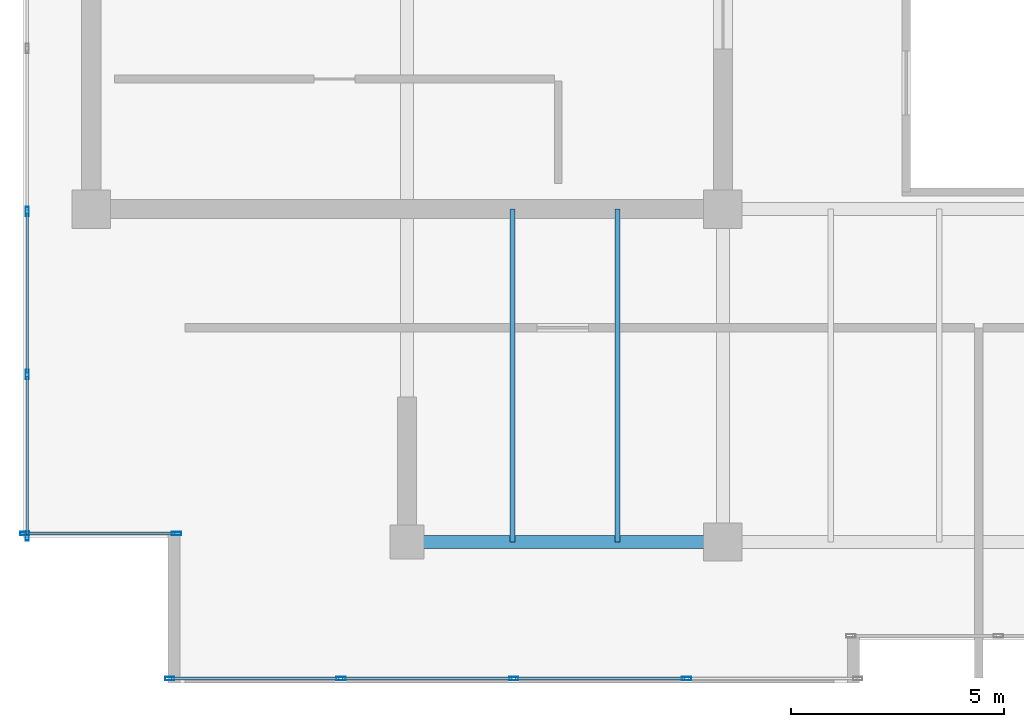
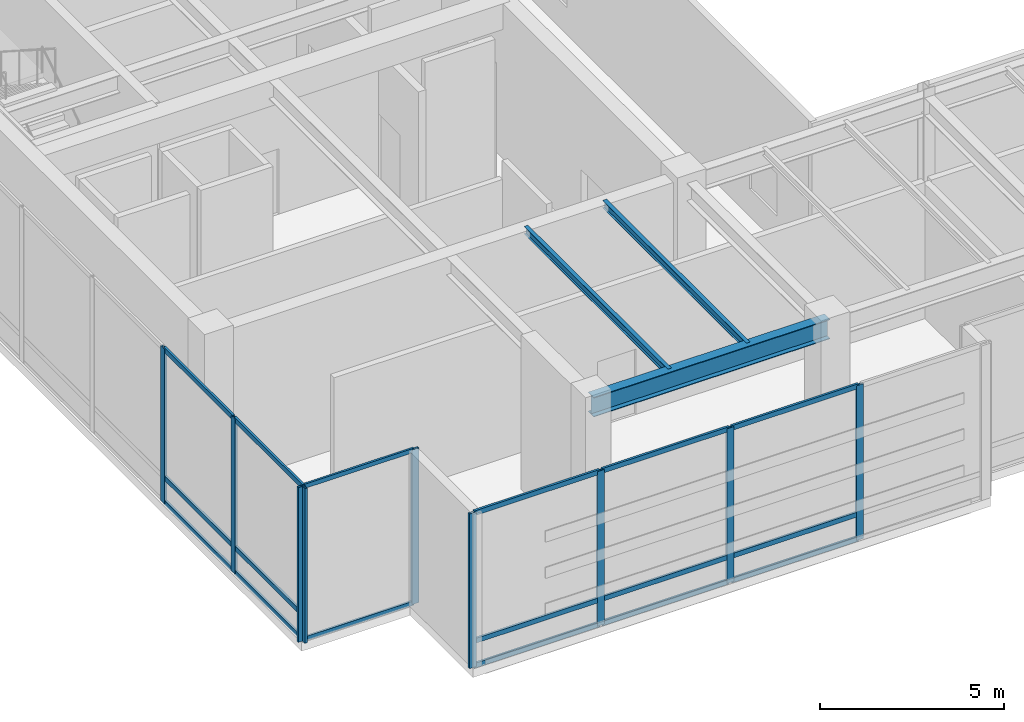
# One storey, part 5 of 30: 26 members, 3 beams, 3 elements without a shape of their own.
"""IFC4 building model written with IfcOpenShell, lengths in metres."""

from ifc_helpers import new_model, si_unit, direction, frame, origin, origin_2d, place, context, subcontext, project, spatial, hollow_rectangle, i_section, extrude, source, transform, mapped, material, layer, layer_set, material_profile, profile_set, type_object, type_shapes, element, aggregate, save


model = new_model("IFC4")

# Units and contexts
model_context = context("Model", 3, precision=1e-05, world=origin(), true_north=direction((0.0, 1.0)))
body_context = subcontext(model_context, "Body", "Model", "MODEL_VIEW")
ifc_project = project(units=[si_unit("LENGTHUNIT", "METRE"), si_unit("AREAUNIT", "SQUARE_METRE"), si_unit("VOLUMEUNIT", "CUBIC_METRE"), si_unit("PLANEANGLEUNIT", "RADIAN"), si_unit("MASSUNIT", "GRAM", prefix="KILO")], contexts=[model_context])

# Site, building, storey
site_placement = place(None, origin())
site = spatial("IfcSite", under=ifc_project, at=site_placement, CompositionType="ELEMENT")
building_placement = place(site_placement, origin())
building = spatial("IfcBuilding", under=site, at=building_placement, Name="Haelvirn Gate Laboratories", CompositionType="ELEMENT")
storey_placement = place(building_placement, frame((0.0, 0.0, 327.0)))
storey = spatial("IfcBuildingStorey", under=building, at=storey_placement, Name="L78", CompositionType="ELEMENT", Elevation=327.0)

# Beams
ifc_material_1 = material(Name="Steel SM355", Category="steel")
ifc_material_profile_1 = material_profile(ifc_material_1, i_section(OverallWidth=0.300048828125, OverallDepth=0.64990234375, WebThickness=0.012939453125, FlangeThickness=0.02197265625, at=origin_2d()), Name="H-650x300x13x22")
ifc_profile_set_1 = profile_set([ifc_material_profile_1], Name="Steel SM355")
beam_type_1 = type_object("IfcBeamType", Name="BM-G-650", PredefinedType="BEAM", material=ifc_profile_set_1)
shared_shape_1 = source(origin(), body_context, "Body", "SweptSolid", [
    extrude(i_section(OverallWidth=0.300048828125, OverallDepth=0.64990234375, WebThickness=0.012939453125, FlangeThickness=0.02197265625, at=origin_2d()), origin(), (0.0, 0.0, 1.0), 7.39990234375),
])
type_shapes(beam_type_1, [shared_shape_1])
beam_placement = place(storey_placement, frame((14.800048828125, 7.0, 4.794921875), z_axis=(1.0, 0.0, 0.0), x_axis=(0.0, 1.0, 0.0)))
element("IfcBeam", 1, at=beam_placement, inside=storey, type_object=beam_type_1, Name="L78 Primary Girder Y7.0 (14.8-22.2)", PredefinedType="BEAM", context=body_context, shape_type="MappedRepresentation", body=[
    mapped(shared_shape_1, transform((0.0, 0.0, 0.0), scale=1.0)),
])
ifc_material_profile_2 = material_profile(ifc_material_1, i_section(OverallWidth=0.125, OverallDepth=0.25, WebThickness=0.006103515625, FlangeThickness=0.009033203125, at=origin_2d()), Name="H-250x125x6x9")
ifc_profile_set_2 = profile_set([ifc_material_profile_2], Name="Steel SM355")
beam_type_2 = type_object("IfcBeamType", Name="BM-J-250", PredefinedType="JOIST", material=ifc_profile_set_2)
shared_shape_2 = source(origin(), body_context, "Body", "SweptSolid", [
    extrude(i_section(OverallWidth=0.125, OverallDepth=0.25, WebThickness=0.006103515625, FlangeThickness=0.009033203125, at=origin_2d()), origin(), (0.0, 0.0, 1.0), 7.800048828125),
])
type_shapes(beam_type_2, [shared_shape_2])
for number, where, z_axis, x_axis, name in (
    (2, (17.27001953125, 7.0, 4.9951171875), (0.0, 1.0, 0.0), (-1.0, 0.0, 0.0), "L78 Composite Lab Joist South X17.27"),
    (3, (19.72998046875, 7.0, 4.9951171875), (0.0, 1.0, 0.0), (-1.0, 0.0, 0.0), "L78 Composite Lab Joist South X19.73"),
):
    element("IfcBeam", number, at=place(storey_placement, frame(where, z_axis=z_axis, x_axis=x_axis)), inside=storey, type_object=beam_type_2, Name=name, PredefinedType="JOIST", context=body_context, shape_type="MappedRepresentation", body=[
        mapped(shared_shape_2, transform((0.0, 0.0, 0.0), scale=1.0)),
    ])

# Curtain wall, members
ifc_material_2 = material(Name="Anodised bronze unitised aluminium & triple low-E glass", Category="aluminium")
ifc_layer_1 = layer(ifc_material_2, 0.181884765625, Name="CW-SYS-5")
ifc_layer_set_1 = layer_set([ifc_layer_1], Name="Anodised bronze unitised aluminium & triple low-E glass")
curtain_wall_type_1 = type_object("IfcCurtainWallType", Name="CW-SYS-5", PredefinedType="NOTDEFINED", material=ifc_layer_set_1)
curtain_wall_1_placement = place(storey_placement, origin())
curtain_wall_1 = element("IfcCurtainWall", 4, at=curtain_wall_1_placement, inside=storey, type_object=curtain_wall_type_1, Name="L78 Unitised Curtain Wall CW-L78-P0-E18-1", PredefinedType="NOTDEFINED")
ifc_material_3 = material(Name="Extruded aluminium 6063-T6 (anodised bronze)", Category="aluminium")
ifc_material_profile_3 = material_profile(ifc_material_3, hollow_rectangle(XDim=0.06494140625, YDim=0.139892578125, WallThickness=0.00390625, at=origin_2d()), Name="CWT-140x65x4")
ifc_profile_set_3 = profile_set([ifc_material_profile_3], Name="Extruded aluminium 6063-T6 (anodised bronze)")
member_type_1 = type_object("IfcMemberType", Name="CWT-T140", PredefinedType="USERDEFINED", material=ifc_profile_set_3)
shared_shape_3 = source(origin(), body_context, "Body", "SweptSolid", [
    extrude(hollow_rectangle(XDim=0.06494140625, YDim=0.139892578125, WallThickness=0.00390625, at=origin_2d()), origin(), (0.0, 0.0, 1.0), 3.480224609375),
])
type_shapes(member_type_1, [shared_shape_3])
member_1_placement = place(storey_placement, frame((5.8798828125, 7.199951171875, 0.032470703125), z_axis=(1.0, 0.0, 0.0), x_axis=(0.0, 1.0, 0.0)))
member_1 = element("IfcMember", 5, at=member_1_placement, type_object=member_type_1, Name="CW5 transom 1.1", ObjectType="TRANSOM", PredefinedType="USERDEFINED", context=body_context, shape_type="MappedRepresentation", body=[
    mapped(shared_shape_3, transform((0.0, 0.0, 0.0), scale=1.0)),
])
member_2_placement = place(storey_placement, frame((5.8798828125, 7.199951171875, 5.08740234375), z_axis=(1.0, 0.0, 0.0), x_axis=(0.0, 1.0, 0.0)))
member_2 = element("IfcMember", 6, at=member_2_placement, type_object=member_type_1, Name="CW5 transom 1.2", ObjectType="TRANSOM", PredefinedType="USERDEFINED", context=body_context, shape_type="MappedRepresentation", body=[
    mapped(shared_shape_3, transform((0.0, 0.0, 0.0), scale=1.0)),
])

ifc_layer_2 = layer(ifc_material_2, 0.19189453125, Name="CW-SYS-6")
ifc_layer_set_2 = layer_set([ifc_layer_2], Name="Anodised bronze unitised aluminium & triple low-E glass")
curtain_wall_type_2 = type_object("IfcCurtainWallType", Name="CW-SYS-6", PredefinedType="NOTDEFINED", material=ifc_layer_set_2)
curtain_wall_2_placement = place(storey_placement, origin())
curtain_wall_2 = element("IfcCurtainWall", 7, at=curtain_wall_2_placement, inside=storey, type_object=curtain_wall_type_2, Name="L78 Unitised Curtain Wall CW-L78-P0-E00-1", PredefinedType="NOTDEFINED")
ifc_material_profile_4 = material_profile(ifc_material_3, hollow_rectangle(XDim=0.080078125, YDim=0.219970703125, WallThickness=0.006103515625, at=origin_2d()), Name="CWM-220x80x6")
ifc_profile_set_4 = profile_set([ifc_material_profile_4], Name="Extruded aluminium 6063-T6 (anodised bronze)")
member_type_2 = type_object("IfcMemberType", Name="CWM-T220", PredefinedType="MULLION", material=ifc_profile_set_4)
shared_shape_4 = source(origin(), body_context, "Body", "SweptSolid", [
    extrude(hollow_rectangle(XDim=0.080078125, YDim=0.219970703125, WallThickness=0.006103515625, at=origin_2d()), origin(), (0.0, 0.0, 1.0), 5.1201171875),
])
type_shapes(member_type_2, [shared_shape_4])
member_3_placement = place(storey_placement, frame((9.239990234375, 3.800048828125, 0.0), z_axis=(0.0, 0.0, 1.0), x_axis=(0.0, 1.0, 0.0)))
member_3 = element("IfcMember", 8, at=member_3_placement, type_object=member_type_2, Name="CW6 mullion 1", PredefinedType="MULLION", context=body_context, shape_type="MappedRepresentation", body=[
    mapped(shared_shape_4, transform((0.0, 0.0, 0.0), scale=1.0)),
])
member_4_placement = place(storey_placement, frame((13.25, 3.800048828125, 0.0), z_axis=(0.0, 0.0, 1.0), x_axis=(0.0, 1.0, 0.0)))
member_4 = element("IfcMember", 9, at=member_4_placement, type_object=member_type_2, Name="CW6 mullion 2", PredefinedType="MULLION", context=body_context, shape_type="MappedRepresentation", body=[
    mapped(shared_shape_4, transform((0.0, 0.0, 0.0), scale=1.0)),
])
member_5_placement = place(storey_placement, frame((17.300048828125, 3.800048828125, 0.0), z_axis=(0.0, 0.0, 1.0), x_axis=(0.0, 1.0, 0.0)))
member_5 = element("IfcMember", 10, at=member_5_placement, type_object=member_type_2, Name="CW6 mullion 3", PredefinedType="MULLION", context=body_context, shape_type="MappedRepresentation", body=[
    mapped(shared_shape_4, transform((0.0, 0.0, 0.0), scale=1.0)),
])
member_6_placement = place(storey_placement, frame((21.35009765625, 3.800048828125, 0.0), z_axis=(0.0, 0.0, 1.0), x_axis=(0.0, 1.0, 0.0)))
member_6 = element("IfcMember", 11, at=member_6_placement, type_object=member_type_2, Name="CW6 mullion 4", PredefinedType="MULLION", context=body_context, shape_type="MappedRepresentation", body=[
    mapped(shared_shape_4, transform((0.0, 0.0, 0.0), scale=1.0)),
])

curtain_wall_3_placement = place(storey_placement, origin())
curtain_wall_3 = element("IfcCurtainWall", 12, at=curtain_wall_3_placement, inside=storey, type_object=curtain_wall_type_2, Name="L78 Unitised Curtain Wall CW-L78-P0-E17", PredefinedType="NOTDEFINED")
member_7_placement = place(storey_placement, frame((5.89990234375, 14.744384765625, 0.0), z_axis=(0.0, 0.0, 1.0), x_axis=(1.0, 0.0, 0.0)))
member_7 = element("IfcMember", 13, at=member_7_placement, type_object=member_type_2, Name="CW6 mullion 8", PredefinedType="MULLION", context=body_context, shape_type="MappedRepresentation", body=[
    mapped(shared_shape_4, transform((0.0, 0.0, 0.0), scale=1.0)),
])
member_8_placement = place(storey_placement, frame((5.89990234375, 10.922119140625, 0.0), z_axis=(0.0, 0.0, 1.0), x_axis=(1.0, 0.0, 0.0)))
member_8 = element("IfcMember", 14, at=member_8_placement, type_object=member_type_2, Name="CW6 mullion 9", PredefinedType="MULLION", context=body_context, shape_type="MappedRepresentation", body=[
    mapped(shared_shape_4, transform((0.0, 0.0, 0.0), scale=1.0)),
])
member_9_placement = place(storey_placement, frame((5.89990234375, 7.139892578125, 0.0), z_axis=(0.0, 0.0, 1.0), x_axis=(1.0, 0.0, 0.0)))
member_9 = element("IfcMember", 15, at=member_9_placement, type_object=member_type_2, Name="CW6 mullion 10", PredefinedType="MULLION", context=body_context, shape_type="MappedRepresentation", body=[
    mapped(shared_shape_4, transform((0.0, 0.0, 0.0), scale=1.0)),
])

# Member
member_10_placement = place(storey_placement, frame((5.840087890625, 7.199951171875, 0.0), z_axis=(0.0, 0.0, 1.0), x_axis=(0.0, 1.0, 0.0)))
member_10 = element("IfcMember", 16, at=member_10_placement, type_object=member_type_2, Name="CW5 mullion 1", PredefinedType="MULLION", context=body_context, shape_type="MappedRepresentation", body=[
    mapped(shared_shape_4, transform((0.0, 0.0, 0.0), scale=1.0)),
])

member_11_placement = place(storey_placement, frame((9.39990234375, 7.199951171875, 0.0), z_axis=(0.0, 0.0, 1.0), x_axis=(0.0, 1.0, 0.0)))
member_11 = element("IfcMember", 17, at=member_11_placement, type_object=member_type_2, Name="CW5 mullion 2", PredefinedType="MULLION", context=body_context, shape_type="MappedRepresentation", body=[
    mapped(shared_shape_4, transform((0.0, 0.0, 0.0), scale=1.0)),
])

aggregate(curtain_wall_1, [member_10, member_11, member_1, member_2])

ifc_material_profile_5 = material_profile(ifc_material_3, hollow_rectangle(XDim=0.070068359375, YDim=0.159912109375, WallThickness=0.0048828125, at=origin_2d()), Name="CWT-160x70x5")
ifc_profile_set_5 = profile_set([ifc_material_profile_5], Name="Extruded aluminium 6063-T6 (anodised bronze)")
member_type_3 = type_object("IfcMemberType", Name="CWT-T160", PredefinedType="USERDEFINED", material=ifc_profile_set_5)
shared_shape_5 = source(origin(), body_context, "Body", "SweptSolid", [
    extrude(hollow_rectangle(XDim=0.070068359375, YDim=0.159912109375, WallThickness=0.0048828125, at=origin_2d()), origin(), (0.0, 0.0, 1.0), 3.929931640625),
])
member_12_placement = place(storey_placement, frame((9.280029296875, 3.800048828125, 0.034912109375), z_axis=(1.0, 0.0, 0.0), x_axis=(0.0, 1.0, 0.0)))
member_12 = element("IfcMember", 18, at=member_12_placement, type_object=member_type_3, Name="CW6 transom 1.1", ObjectType="TRANSOM", PredefinedType="USERDEFINED", context=body_context, shape_type="MappedRepresentation", body=[
    mapped(shared_shape_5, transform((0.0, 0.0, 0.0), scale=1.0)),
])

member_13_placement = place(storey_placement, frame((9.280029296875, 3.800048828125, 0.85009765625), z_axis=(1.0, 0.0, 0.0), x_axis=(0.0, 1.0, 0.0)))
member_13 = element("IfcMember", 19, at=member_13_placement, type_object=member_type_3, Name="CW6 transom 1.2", ObjectType="TRANSOM", PredefinedType="USERDEFINED", context=body_context, shape_type="MappedRepresentation", body=[
    mapped(shared_shape_5, transform((0.0, 0.0, 0.0), scale=1.0)),
])

member_14_placement = place(storey_placement, frame((9.280029296875, 3.800048828125, 5.0849609375), z_axis=(1.0, 0.0, 0.0), x_axis=(0.0, 1.0, 0.0)))
member_14 = element("IfcMember", 20, at=member_14_placement, type_object=member_type_3, Name="CW6 transom 1.3", ObjectType="TRANSOM", PredefinedType="USERDEFINED", context=body_context, shape_type="MappedRepresentation", body=[
    mapped(shared_shape_5, transform((0.0, 0.0, 0.0), scale=1.0)),
])

shared_shape_6 = source(origin(), body_context, "Body", "SweptSolid", [
    extrude(hollow_rectangle(XDim=0.070068359375, YDim=0.159912109375, WallThickness=0.0048828125, at=origin_2d()), origin(), (0.0, 0.0, 1.0), 3.969970703125),
])
member_15_placement = place(storey_placement, frame((13.2900390625, 3.800048828125, 0.034912109375), z_axis=(1.0, 0.0, 0.0), x_axis=(0.0, 1.0, 0.0)))
member_15 = element("IfcMember", 21, at=member_15_placement, type_object=member_type_3, Name="CW6 transom 2.1", ObjectType="TRANSOM", PredefinedType="USERDEFINED", context=body_context, shape_type="MappedRepresentation", body=[
    mapped(shared_shape_6, transform((0.0, 0.0, 0.0), scale=1.0)),
])

member_16_placement = place(storey_placement, frame((13.2900390625, 3.800048828125, 0.85009765625), z_axis=(1.0, 0.0, 0.0), x_axis=(0.0, 1.0, 0.0)))
member_16 = element("IfcMember", 22, at=member_16_placement, type_object=member_type_3, Name="CW6 transom 2.2", ObjectType="TRANSOM", PredefinedType="USERDEFINED", context=body_context, shape_type="MappedRepresentation", body=[
    mapped(shared_shape_6, transform((0.0, 0.0, 0.0), scale=1.0)),
])

member_17_placement = place(storey_placement, frame((13.2900390625, 3.800048828125, 5.0849609375), z_axis=(1.0, 0.0, 0.0), x_axis=(0.0, 1.0, 0.0)))
member_17 = element("IfcMember", 23, at=member_17_placement, type_object=member_type_3, Name="CW6 transom 2.3", ObjectType="TRANSOM", PredefinedType="USERDEFINED", context=body_context, shape_type="MappedRepresentation", body=[
    mapped(shared_shape_6, transform((0.0, 0.0, 0.0), scale=1.0)),
])

member_18_placement = place(storey_placement, frame((17.340087890625, 3.800048828125, 0.034912109375), z_axis=(1.0, 0.0, 0.0), x_axis=(0.0, 1.0, 0.0)))
member_18 = element("IfcMember", 24, at=member_18_placement, type_object=member_type_3, Name="CW6 transom 3.1", ObjectType="TRANSOM", PredefinedType="USERDEFINED", context=body_context, shape_type="MappedRepresentation", body=[
    mapped(shared_shape_6, transform((0.0, 0.0, 0.0), scale=1.0)),
])

member_19_placement = place(storey_placement, frame((17.340087890625, 3.800048828125, 0.85009765625), z_axis=(1.0, 0.0, 0.0), x_axis=(0.0, 1.0, 0.0)))
member_19 = element("IfcMember", 25, at=member_19_placement, type_object=member_type_3, Name="CW6 transom 3.2", ObjectType="TRANSOM", PredefinedType="USERDEFINED", context=body_context, shape_type="MappedRepresentation", body=[
    mapped(shared_shape_6, transform((0.0, 0.0, 0.0), scale=1.0)),
])

member_20_placement = place(storey_placement, frame((17.340087890625, 3.800048828125, 5.0849609375), z_axis=(1.0, 0.0, 0.0), x_axis=(0.0, 1.0, 0.0)))
member_20 = element("IfcMember", 26, at=member_20_placement, type_object=member_type_3, Name="CW6 transom 3.3", ObjectType="TRANSOM", PredefinedType="USERDEFINED", context=body_context, shape_type="MappedRepresentation", body=[
    mapped(shared_shape_6, transform((0.0, 0.0, 0.0), scale=1.0)),
])

aggregate(curtain_wall_2, [member_3, member_4, member_5, member_6, member_12, member_13, member_14, member_15, member_16, member_17, member_18, member_19, member_20])

shared_shape_7 = source(origin(), body_context, "Body", "SweptSolid", [
    extrude(hollow_rectangle(XDim=0.070068359375, YDim=0.159912109375, WallThickness=0.0048828125, at=origin_2d()), origin(), (0.0, 0.0, 1.0), 3.702392578125),
])
member_21_placement = place(storey_placement, frame((5.89990234375, 10.88232421875, 0.034912109375), z_axis=(0.0, -1.0, 0.0), x_axis=(1.0, 0.0, 0.0)))
member_21 = element("IfcMember", 27, at=member_21_placement, type_object=member_type_3, Name="CW6 transom 9.1", ObjectType="TRANSOM", PredefinedType="USERDEFINED", context=body_context, shape_type="MappedRepresentation", body=[
    mapped(shared_shape_7, transform((0.0, 0.0, 0.0), scale=1.0)),
])

member_22_placement = place(storey_placement, frame((5.89990234375, 10.88232421875, 0.85009765625), z_axis=(0.0, -1.0, 0.0), x_axis=(1.0, 0.0, 0.0)))
member_22 = element("IfcMember", 28, at=member_22_placement, type_object=member_type_3, Name="CW6 transom 9.2", ObjectType="TRANSOM", PredefinedType="USERDEFINED", context=body_context, shape_type="MappedRepresentation", body=[
    mapped(shared_shape_7, transform((0.0, 0.0, 0.0), scale=1.0)),
])

member_23_placement = place(storey_placement, frame((5.89990234375, 10.88232421875, 5.0849609375), z_axis=(0.0, -1.0, 0.0), x_axis=(1.0, 0.0, 0.0)))
member_23 = element("IfcMember", 29, at=member_23_placement, type_object=member_type_3, Name="CW6 transom 9.3", ObjectType="TRANSOM", PredefinedType="USERDEFINED", context=body_context, shape_type="MappedRepresentation", body=[
    mapped(shared_shape_7, transform((0.0, 0.0, 0.0), scale=1.0)),
])

shared_shape_8 = source(origin(), body_context, "Body", "SweptSolid", [
    extrude(hollow_rectangle(XDim=0.070068359375, YDim=0.159912109375, WallThickness=0.0048828125, at=origin_2d()), origin(), (0.0, 0.0, 1.0), 3.7421875),
])
type_shapes(member_type_3, [shared_shape_5, shared_shape_6, shared_shape_7, shared_shape_8])
member_24_placement = place(storey_placement, frame((5.89990234375, 14.704345703125, 0.034912109375), z_axis=(0.0, -1.0, 0.0), x_axis=(1.0, 0.0, 0.0)))
member_24 = element("IfcMember", 30, at=member_24_placement, type_object=member_type_3, Name="CW6 transom 8.1", ObjectType="TRANSOM", PredefinedType="USERDEFINED", context=body_context, shape_type="MappedRepresentation", body=[
    mapped(shared_shape_8, transform((0.0, 0.0, 0.0), scale=1.0)),
])

member_25_placement = place(storey_placement, frame((5.89990234375, 14.704345703125, 0.85009765625), z_axis=(0.0, -1.0, 0.0), x_axis=(1.0, 0.0, 0.0)))
member_25 = element("IfcMember", 31, at=member_25_placement, type_object=member_type_3, Name="CW6 transom 8.2", ObjectType="TRANSOM", PredefinedType="USERDEFINED", context=body_context, shape_type="MappedRepresentation", body=[
    mapped(shared_shape_8, transform((0.0, 0.0, 0.0), scale=1.0)),
])

member_26_placement = place(storey_placement, frame((5.89990234375, 14.704345703125, 5.0849609375), z_axis=(0.0, -1.0, 0.0), x_axis=(1.0, 0.0, 0.0)))
member_26 = element("IfcMember", 32, at=member_26_placement, type_object=member_type_3, Name="CW6 transom 8.3", ObjectType="TRANSOM", PredefinedType="USERDEFINED", context=body_context, shape_type="MappedRepresentation", body=[
    mapped(shared_shape_8, transform((0.0, 0.0, 0.0), scale=1.0)),
])

aggregate(curtain_wall_3, [member_7, member_8, member_9, member_24, member_25, member_26, member_21, member_22, member_23])

save(model, "model.ifc")
